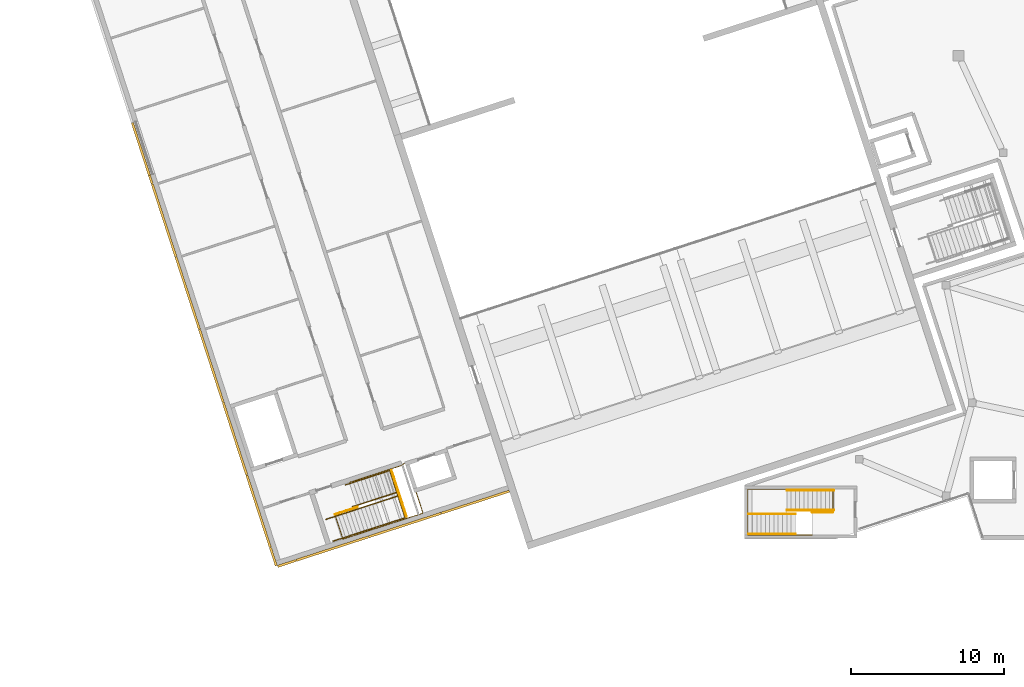
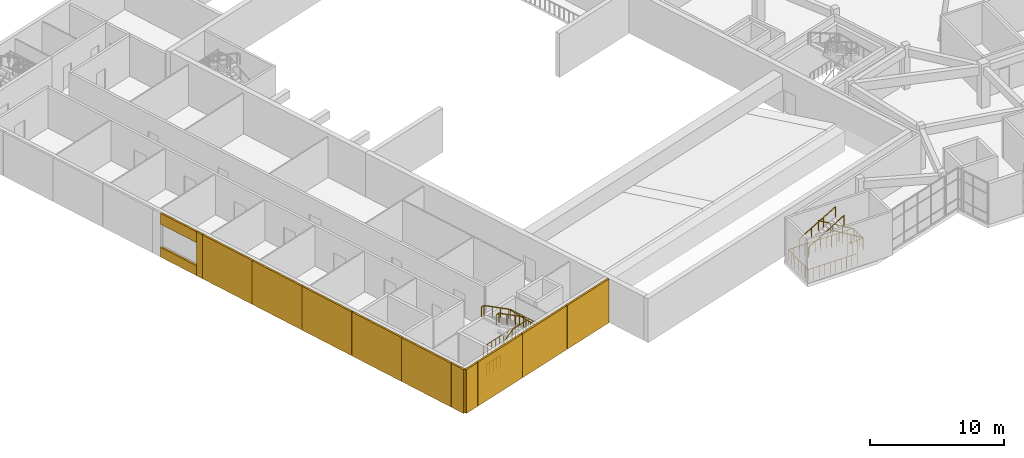
# One storey, part 60 of 66: 13 coverings, 11 railings.
"""IFC4 building model written with IfcOpenShell, lengths in metres."""

import ifcopenshell
import ifcopenshell.guid

model = None  # the IFC model being written
_history = None  # IfcOwnerHistory: only IFC2X3 demands one
_inside = {}  # id of a spatial element -> (the spatial element, [elements in it])
_under = {}  # id of a project, library or spatial element -> (it, [spatial elements below it])
_declared = {}  # id of a project -> (the project, [libraries it declares])
_typed = {}  # id of a type object -> (the type object, [elements of that type])
_made_of = {}  # id of a material, layer set ... -> (it, [elements and type objects made of it])


def new_model(schema):
    """Start an empty IFC model of exactly this schema.

    Asked for "IFC4X3", IfcOpenShell would pick the latest addendum, in which some entities
    have other attributes; the version numbers below select the first issue.
    IFC2X3 requires an IfcOwnerHistory on every rooted entity: one is made here for all.
    """
    global model, _history
    if schema == "IFC4X3":
        model = ifcopenshell.file(schema_version=(4, 3, 0, 0))
    else:
        model = ifcopenshell.file(schema=schema)
    _inside.clear()
    _under.clear()
    _declared.clear()
    _typed.clear()
    _made_of.clear()
    _history = None
    if model.schema == "IFC2X3":
        org = make("IfcOrganization", Name="unknown")
        user = make(
            "IfcPersonAndOrganization",
            ThePerson=make("IfcPerson", FamilyName="unknown"),
            TheOrganization=org,
        )
        app = make(
            "IfcApplication",
            ApplicationDeveloper=org,
            Version="unknown",
            ApplicationFullName="unknown",
            ApplicationIdentifier="unknown",
        )
        _history = make(
            "IfcOwnerHistory",
            OwningUser=user,
            OwningApplication=app,
            ChangeAction="ADDED",
            CreationDate=0,
        )
    return model


def make(cls, **values):
    """One entity of the class cls with the attributes given. An attribute that is None is left unset."""
    return model.create_entity(
        cls, **{name: value for name, value in values.items() if value is not None}
    )


def rooted(cls, **values):
    """An entity with a GlobalId (a new one), such as an element, a storey or a relation."""
    return make(cls, GlobalId=ifcopenshell.guid.new(), OwnerHistory=_history, **values)


def si_unit(unit_type, name, prefix=None):
    """IfcSIUnit, for example si_unit("LENGTHUNIT", "METRE", prefix="MILLI")."""
    return make("IfcSIUnit", UnitType=unit_type, Prefix=prefix, Name=name)


def assignment(units):
    """IfcUnitAssignment: the units of a project."""
    return None if units is None else make("IfcUnitAssignment", Units=units)


def point(xyz):
    """IfcCartesianPoint."""
    return None if xyz is None else make("IfcCartesianPoint", Coordinates=xyz)


def direction(xyz):
    """IfcDirection."""
    return None if xyz is None else make("IfcDirection", DirectionRatios=xyz)


def frame(location, z_axis=None, x_axis=None):
    """IfcAxis2Placement3D, a coordinate frame: its origin and axes. An axis left out is left unset."""
    return make(
        "IfcAxis2Placement3D",
        Location=point(location),
        Axis=direction(z_axis),
        RefDirection=direction(x_axis),
    )


def frame_2d(location, x_axis=None):
    """IfcAxis2Placement2D, a coordinate frame in the plane: its origin and x axis."""
    return make(
        "IfcAxis2Placement2D", Location=point(location), RefDirection=direction(x_axis)
    )


def origin():
    """The frame at (0, 0, 0) with its axes left unset."""
    return frame((0.0, 0.0, 0.0))


def origin_2d():
    """The frame at (0, 0) in the plane with its x axis left unset."""
    return frame_2d((0.0, 0.0))


def place(relative_to, where):
    """IfcLocalPlacement: puts the frame where relative to a parent placement (None: the world)."""
    return make(
        "IfcLocalPlacement", PlacementRelTo=relative_to, RelativePlacement=where
    )


def context(
    kind, dimensions, precision=None, world=None, true_north=None, identifier=None
):
    """IfcGeometricRepresentationContext, for example the 3D "Model" context."""
    return make(
        "IfcGeometricRepresentationContext",
        ContextIdentifier=identifier,
        ContextType=kind,
        CoordinateSpaceDimension=dimensions,
        Precision=precision,
        WorldCoordinateSystem=world,
        TrueNorth=true_north,
    )


def subcontext(parent, identifier, kind, view, scale=None):
    """IfcGeometricRepresentationSubContext, for example "Body" below "Model"."""
    return make(
        "IfcGeometricRepresentationSubContext",
        ContextIdentifier=identifier,
        ContextType=kind,
        ParentContext=parent,
        TargetScale=scale,
        TargetView=view,
    )


def project(units=None, contexts=None):
    """IfcProject with its units and contexts."""
    return rooted(
        "IfcProject",
        Name="project",
        RepresentationContexts=contexts,
        UnitsInContext=assignment(units),
    )


def spatial(cls, under=None, at=None, **own):
    """A site, building, storey or space (cls), placed at a placement, below another one or the project."""
    s = rooted(cls, ObjectPlacement=at, **own)
    if under is not None:
        _under.setdefault(under.id(), (under, []))[1].append(s)
    return s


def polyline(points):
    """IfcPolyline through the points."""
    return make("IfcPolyline", Points=[point(p) for p in points])


def profile(cls, at=None, kind="AREA", **sizes):
    """A parametric profile (cls). Its sizes go by their IFC names, for example OverallWidth=200.0."""
    return make(cls, ProfileType=kind, Position=at, **sizes)


def circle(**sizes):
    """IfcCircleProfileDef."""
    return profile("IfcCircleProfileDef", **sizes)


def outline(outer, holes=None, kind="AREA"):
    """IfcArbitraryClosedProfileDef: a profile drawn as a closed curve; with holes, ...WithVoids."""
    if holes is None:
        return make("IfcArbitraryClosedProfileDef", ProfileType=kind, OuterCurve=outer)
    return make(
        "IfcArbitraryProfileDefWithVoids",
        ProfileType=kind,
        OuterCurve=outer,
        InnerCurves=holes,
    )


def extrude(swept, where, along, depth):
    """IfcExtrudedAreaSolid: the profile swept, set in the frame where, extruded along a direction by depth."""
    return make(
        "IfcExtrudedAreaSolid",
        SweptArea=swept,
        Position=where,
        ExtrudedDirection=direction(along),
        Depth=depth,
    )


def shape(context_of_items, identifier, shape_type, items):
    """IfcShapeRepresentation: the items that make up one representation, for example the "Body"."""
    return make(
        "IfcShapeRepresentation",
        ContextOfItems=context_of_items,
        RepresentationIdentifier=identifier,
        RepresentationType=shape_type,
        Items=items,
    )


def material(Name=None, Category=None):
    """IfcMaterial."""
    return make("IfcMaterial", Name=Name, Category=Category)


def layer(
    of_material, thickness, ventilated=None, Name=None, Category=None, Priority=None
):
    """IfcMaterialLayer: one layer of a wall or slab, of a material (None: an air gap)."""
    return make(
        "IfcMaterialLayer",
        Material=of_material,
        LayerThickness=thickness,
        IsVentilated=ventilated,
        Name=Name,
        Category=Category,
        Priority=Priority,
    )


def layer_set(layers, Name=None):
    """IfcMaterialLayerSet."""
    return make("IfcMaterialLayerSet", MaterialLayers=layers, LayerSetName=Name)


def made_of(thing, what):
    """Note that an element or type object is made of a material, layer set ...; save() writes the relation."""
    if what is not None:
        _made_of.setdefault(what.id(), (what, []))[1].append(thing)
    return thing


def type_object(cls, material=None, **own):
    """A type object (cls), such as IfcWallType, which elements share."""
    return made_of(rooted(cls, **own), material)


def element(
    cls,
    number,
    at=None,
    inside=None,
    cuts=None,
    type_object=None,
    material=None,
    context=None,
    identifier="Body",
    shape_type=None,
    held_by="IfcProductDefinitionShape",
    body=None,
    shapes=None,
    **own,
):
    """One element of the class cls, such as IfcWall. Its Tag is "e" and its number.

    at: its placement. inside: the storey or other place that contains it. cuts: it is an
    opening in that element (IfcRelVoidsElement). A single representation is given by context,
    identifier, shape_type and body (its items); several are given by shapes. held_by: the class
    of the entity that holds the representations. save() writes the other relations.
    """
    e = rooted(cls, Tag="e%d" % number, ObjectPlacement=at, **own)
    if body is not None:
        shapes = [shape(context, identifier, shape_type, body)]
    if shapes is not None:
        e.Representation = make(held_by, Representations=shapes)
    if inside is not None:
        _inside.setdefault(inside.id(), (inside, []))[1].append(e)
    if cuts is not None:
        rooted(
            "IfcRelVoidsElement", RelatingBuildingElement=cuts, RelatedOpeningElement=e
        )
    if type_object is not None:
        _typed.setdefault(type_object.id(), (type_object, []))[1].append(e)
    return made_of(e, material)


def aggregate(whole, parts):
    """IfcRelAggregates: a whole, such as a stair, and the parts it consists of."""
    return rooted("IfcRelAggregates", RelatingObject=whole, RelatedObjects=parts)


def save(model, path):
    """Write the relations noted so far, then the file.

    IfcRelAggregates (storeys below a building ...), IfcRelContainedInSpatialStructure (elements
    in a storey), IfcRelDefinesByType, IfcRelAssociatesMaterial and IfcRelDeclares: one each for
    every whole, place, type object, material and project.
    """
    for whole, parts in _under.values():
        aggregate(whole, parts)
    for where, things in _inside.values():
        rooted(
            "IfcRelContainedInSpatialStructure",
            RelatedElements=things,
            RelatingStructure=where,
        )
    for kind, things in _typed.values():
        rooted("IfcRelDefinesByType", RelatedObjects=things, RelatingType=kind)
    for what, things in _made_of.values():
        rooted("IfcRelAssociatesMaterial", RelatedObjects=things, RelatingMaterial=what)
    for by, libraries in _declared.values():
        rooted("IfcRelDeclares", RelatingContext=by, RelatedDefinitions=libraries)
    model.write(path)


model = new_model("IFC4")

# Units and contexts
model_context = context("Model", 3, precision=1e-05, world=origin(), true_north=direction((0.0, 1.0)))
body_context = subcontext(model_context, "Body", "Model", "MODEL_VIEW")
ifc_project = project(units=[si_unit("LENGTHUNIT", "METRE"), si_unit("AREAUNIT", "SQUARE_METRE"), si_unit("VOLUMEUNIT", "CUBIC_METRE"), si_unit("PLANEANGLEUNIT", "RADIAN"), si_unit("MASSUNIT", "GRAM", prefix="KILO")], contexts=[model_context])

# Site, building, storey
site_placement = place(None, origin())
site = spatial("IfcSite", under=ifc_project, at=site_placement, CompositionType="ELEMENT")
building_placement = place(site_placement, origin())
building = spatial("IfcBuilding", under=site, at=building_placement, Name="Tuart Plaza Theatre", CompositionType="ELEMENT")
storey_placement = place(building_placement, frame((0.0, 0.0, 5.5)))
storey = spatial("IfcBuildingStorey", under=building, at=storey_placement, Name="L01", CompositionType="ELEMENT", Elevation=5.5)

# Coverings
ifc_material_1 = material(Name="Zinc")
ifc_layer = layer(ifc_material_1, 0.14990234375)
ifc_layer_set = layer_set([ifc_layer], Name="COVERING-ZINC-RAINSCREEN150")
covering_type = type_object("IfcCoveringType", Name="COVERING-ZINC-RAINSCREEN150", PredefinedType="CLADDING", material=ifc_layer_set)
covering_1_placement = place(storey_placement, origin())
element("IfcCovering", 1, at=covering_1_placement, inside=storey, type_object=covering_type, Name="CL127", PredefinedType="CLADDING", context=body_context, shape_type="SweptSolid", body=[
    extrude(outline(polyline([(33.45068359375, 40.6708984375), (34.6298828125, 41.05419921875), (34.676513671875, 40.91162109375), (33.4970703125, 40.5283203125), (33.45068359375, 40.6708984375)])), origin(), (0.0, 0.0, 1.0), 4.0),
])
covering_2_placement = place(storey_placement, origin())
element("IfcCovering", 2, at=covering_2_placement, inside=storey, type_object=covering_type, Name="CL128", PredefinedType="CLADDING", context=body_context, shape_type="SweptSolid", body=[
    extrude(outline(polyline([(34.649169921875, 41.060302734375), (39.38525390625, 42.59912109375), (39.431640625, 42.45654296875), (34.6953125, 40.91748046875), (34.649169921875, 41.060302734375)])), origin(), (0.0, 0.0, 1.0), 4.0),
])
covering_3_placement = place(storey_placement, origin())
element("IfcCovering", 3, at=covering_3_placement, inside=storey, type_object=covering_type, Name="CL129", PredefinedType="CLADDING", context=body_context, shape_type="SweptSolid", body=[
    extrude(outline(polyline([(39.404296875, 42.60546875), (44.140625, 44.144287109375), (44.18701171875, 44.001708984375), (39.45068359375, 42.462646484375), (39.404296875, 42.60546875)])), origin(), (0.0, 0.0, 1.0), 4.0),
])
covering_4_placement = place(storey_placement, origin())
element("IfcCovering", 4, at=covering_4_placement, inside=storey, type_object=covering_type, Name="CL130", PredefinedType="CLADDING", context=body_context, shape_type="SweptSolid", body=[
    extrude(outline(polyline([(44.15966796875, 44.150390625), (48.59619140625, 45.592041015625), (48.642578125, 45.449462890625), (44.2060546875, 44.0078125), (44.15966796875, 44.150390625)])), origin(), (0.0, 0.0, 1.0), 4.0),
])
covering_5_placement = place(storey_placement, origin())
element("IfcCovering", 5, at=covering_5_placement, inside=storey, type_object=covering_type, Name="CL131", PredefinedType="CLADDING", context=body_context, shape_type="SweptSolid", body=[
    extrude(outline(polyline([(33.30810546875, 40.62451171875), (32.9248046875, 41.803955078125), (33.0673828125, 41.850341796875), (33.45068359375, 40.6708984375), (33.30810546875, 40.62451171875)])), origin(), (0.0, 0.0, 1.0), 4.0),
])
covering_6_placement = place(storey_placement, origin())
element("IfcCovering", 6, at=covering_6_placement, inside=storey, type_object=covering_type, Name="CL132", PredefinedType="CLADDING", context=body_context, shape_type="SweptSolid", body=[
    extrude(outline(polyline([(32.918701171875, 41.822998046875), (31.3798828125, 46.55908203125), (31.5224609375, 46.60546875), (33.061279296875, 41.869384765625), (32.918701171875, 41.822998046875)])), origin(), (0.0, 0.0, 1.0), 4.0),
])
covering_7_placement = place(storey_placement, origin())
element("IfcCovering", 7, at=covering_7_placement, inside=storey, type_object=covering_type, Name="CL133", PredefinedType="CLADDING", context=body_context, shape_type="SweptSolid", body=[
    extrude(outline(polyline([(31.37353515625, 46.578125), (29.834716796875, 51.314453125), (29.977294921875, 51.36083984375), (31.516357421875, 46.62451171875), (31.37353515625, 46.578125)])), origin(), (0.0, 0.0, 1.0), 4.0),
])
covering_8_placement = place(storey_placement, origin())
element("IfcCovering", 8, at=covering_8_placement, inside=storey, type_object=covering_type, Name="CL134", PredefinedType="CLADDING", context=body_context, shape_type="SweptSolid", body=[
    extrude(outline(polyline([(29.82861328125, 51.33349609375), (28.28955078125, 56.069580078125), (28.432373046875, 56.1162109375), (29.97119140625, 51.3798828125), (29.82861328125, 51.33349609375)])), origin(), (0.0, 0.0, 1.0), 4.0),
])
covering_9_placement = place(storey_placement, origin())
element("IfcCovering", 9, at=covering_9_placement, inside=storey, type_object=covering_type, Name="CL135", PredefinedType="CLADDING", context=body_context, shape_type="SweptSolid", body=[
    extrude(outline(polyline([(28.283447265625, 56.0888671875), (26.744384765625, 60.824951171875), (26.88720703125, 60.871337890625), (28.426025390625, 56.135009765625), (28.283447265625, 56.0888671875)])), origin(), (0.0, 0.0, 1.0), 4.0),
])
covering_10_placement = place(storey_placement, origin())
element("IfcCovering", 10, at=covering_10_placement, inside=storey, type_object=covering_type, Name="CL136", PredefinedType="CLADDING", context=body_context, shape_type="SweptSolid", body=[
    extrude(outline(polyline([(26.73828125, 60.843994140625), (25.199462890625, 65.580322265625), (25.342041015625, 65.626708984375), (26.881103515625, 60.890380859375), (26.73828125, 60.843994140625)])), origin(), (0.0, 0.0, 1.0), 4.0),
])
covering_11_placement = place(storey_placement, origin())
element("IfcCovering", 11, at=covering_11_placement, inside=storey, type_object=covering_type, Name="CL137", PredefinedType="CLADDING", context=body_context, shape_type="SweptSolid", body=[
    extrude(outline(polyline([(25.193359375, 65.599365234375), (25.010986328125, 66.160400390625), (25.153564453125, 66.206787109375), (25.3359375, 65.645751953125), (25.193359375, 65.599365234375)])), origin(), (0.0, 0.0, 1.0), 4.0),
])
covering_12_placement = place(storey_placement, origin())
element("IfcCovering", 12, at=covering_12_placement, inside=storey, type_object=covering_type, Name="CL138", PredefinedType="CLADDING", context=body_context, shape_type="SweptSolid", body=[
    extrude(outline(polyline([(25.010986328125, 66.160400390625), (23.8984375, 69.584228515625), (24.041259765625, 69.630615234375), (25.153564453125, 66.206787109375), (25.010986328125, 66.160400390625)])), origin(), (0.0, 0.0, 1.0), 0.89990234375),
])
covering_13_placement = place(storey_placement, frame((0.0, 0.0, 3.0)))
element("IfcCovering", 13, at=covering_13_placement, inside=storey, type_object=covering_type, Name="CL139", PredefinedType="CLADDING", context=body_context, shape_type="SweptSolid", body=[
    extrude(outline(polyline([(25.010986328125, 66.160400390625), (23.8984375, 69.584228515625), (24.041259765625, 69.630615234375), (25.153564453125, 66.206787109375), (25.010986328125, 66.160400390625)])), origin(), (0.0, 0.0, 1.0), 1.0),
])

# Railings
ifc_material_2 = material(Name="Steel Grade C350L0", Category="steel")
railing_type_1 = type_object("IfcRailingType", Name="RAILING Guard 1100", PredefinedType="GUARDRAIL", material=ifc_material_2)
railing_1_placement = place(storey_placement, frame((37.217041015625, 43.99755859375, 0.0)))
element("IfcRailing", 14, at=railing_1_placement, inside=storey, type_object=railing_type_1, Name="GR7", PredefinedType="GUARDRAIL", context=body_context, shape_type="SweptSolid", body=[
    extrude(circle(Radius=0.02490234375, at=origin_2d()), frame((0.0, 0.0, 1.0751953125), z_axis=(0.951027146511, 0.309107370664, 0.0), x_axis=(-0.309107370664, 0.951027146511, 0.0)), (0.0, 0.0, 1.0), 1.55517578125),
    extrude(circle(Radius=0.02001953125, at=origin_2d()), origin(), (0.0, 0.0, 1.0), 1.050048828125),
    extrude(circle(Radius=0.02001953125, at=origin_2d()), frame((0.36962890625, 0.1201171875, 0.0)), (0.0, 0.0, 1.0), 1.050048828125),
    extrude(circle(Radius=0.02001953125, at=origin_2d()), frame((0.739501953125, 0.240234375, 0.0)), (0.0, 0.0, 1.0), 1.050048828125),
    extrude(circle(Radius=0.02001953125, at=origin_2d()), frame((1.109375, 0.360595703125, 0.0)), (0.0, 0.0, 1.0), 1.050048828125),
    extrude(circle(Radius=0.02001953125, at=origin_2d()), frame((1.47900390625, 0.480712890625, 0.0)), (0.0, 0.0, 1.0), 1.050048828125),
])
railing_2_placement = place(storey_placement, frame((38.181640625, 46.077392578125, 0.0)))
element("IfcRailing", 15, at=railing_2_placement, inside=storey, type_object=railing_type_1, Name="GR8", PredefinedType="GUARDRAIL", context=body_context, shape_type="SweptSolid", body=[
    extrude(circle(Radius=0.02490234375, at=origin_2d()), frame((0.0, 0.0, 1.0751953125), z_axis=(-0.316227766017, 0.948683298051, 0.0), x_axis=(-0.948683298051, -0.316227766017, 0.0)), (0.0, 0.0, 1.0), 0.02001953125),
    extrude(circle(Radius=0.02490234375, at=origin_2d()), frame((-0.00634765625, 0.01904296875, 1.0751953125), z_axis=(0.951050377365, 0.309035887419, 0.0), x_axis=(-0.309035887419, 0.951050377365, 0.0)), (0.0, 0.0, 1.0), 3.630126953125),
    extrude(circle(Radius=0.02490234375, at=origin_2d()), frame((3.446044921875, 1.140869140625, 1.0751953125), z_axis=(-0.310120496179, 0.950697258779, 0.0), x_axis=(-0.950697258779, -0.310120496179, 0.0)), (0.0, 0.0, 1.0), 0.048095703125),
    extrude(circle(Radius=0.02490234375, at=origin_2d()), frame((3.43115234375, 1.1865234375, 1.0751953125), z_axis=(0.951172846201, 0.308658738171, 0.0), x_axis=(-0.308658738171, 0.951172846201, 0.0)), (0.0, 0.0, 1.0), 0.31005859375),
    extrude(circle(Radius=0.02490234375, at=origin_2d()), frame((3.72607421875, 1.2822265625, 1.0751953125), z_axis=(0.308996412998, -0.951063203344, 0.0), x_axis=(0.951063203344, 0.308996412998, 0.0)), (0.0, 0.0, 1.0), 3.447998046875),
    extrude(circle(Radius=0.02490234375, at=origin_2d()), frame((4.79150390625, -1.9970703125, 1.0751953125), z_axis=(-0.951061793147, -0.309000753423, 0.0), x_axis=(0.309000753423, -0.951061793147, 0.0)), (0.0, 0.0, 1.0), 5.499755859375),
    extrude(circle(Radius=0.02490234375, at=origin_2d()), frame((-0.439208984375, -3.696533203125, 1.0751953125), z_axis=(-0.309066587596, 0.951040401051, 0.0), x_axis=(-0.951040401051, -0.309066587596, 0.0)), (0.0, 0.0, 1.0), 1.699951171875),
    extrude(circle(Radius=0.02001953125, at=origin_2d()), origin(), (0.0, 0.0, 1.0), 1.050048828125),
    extrude(circle(Radius=0.02001953125, at=origin_2d()), frame((-0.00634765625, 0.01904296875, 0.0)), (0.0, 0.0, 1.0), 1.050048828125),
    extrude(circle(Radius=0.02001953125, at=origin_2d()), frame((0.42529296875, 0.1591796875, 0.0)), (0.0, 0.0, 1.0), 1.050048828125),
    extrude(circle(Radius=0.02001953125, at=origin_2d()), frame((0.856689453125, 0.299560546875, 0.0)), (0.0, 0.0, 1.0), 1.050048828125),
    extrude(circle(Radius=0.02001953125, at=origin_2d()), frame((1.288330078125, 0.439697265625, 0.0)), (0.0, 0.0, 1.0), 1.050048828125),
    extrude(circle(Radius=0.02001953125, at=origin_2d()), frame((1.7197265625, 0.580078125, 0.0)), (0.0, 0.0, 1.0), 1.050048828125),
    extrude(circle(Radius=0.02001953125, at=origin_2d()), frame((2.1513671875, 0.72021484375, 0.0)), (0.0, 0.0, 1.0), 1.050048828125),
    extrude(circle(Radius=0.02001953125, at=origin_2d()), frame((2.5830078125, 0.8603515625, 0.0)), (0.0, 0.0, 1.0), 1.050048828125),
    extrude(circle(Radius=0.02001953125, at=origin_2d()), frame((3.014404296875, 1.000732421875, 0.0)), (0.0, 0.0, 1.0), 1.050048828125),
    extrude(circle(Radius=0.02001953125, at=origin_2d()), frame((3.446044921875, 1.140869140625, 0.0)), (0.0, 0.0, 1.0), 1.050048828125),
    extrude(circle(Radius=0.02001953125, at=origin_2d()), frame((3.43115234375, 1.1865234375, 0.0)), (0.0, 0.0, 1.0), 1.050048828125),
    extrude(circle(Radius=0.02001953125, at=origin_2d()), frame((3.72607421875, 1.2822265625, 0.0)), (0.0, 0.0, 1.0), 1.050048828125),
    extrude(circle(Radius=0.02001953125, at=origin_2d()), frame((3.878173828125, 0.813720703125, 0.0)), (0.0, 0.0, 1.0), 1.050048828125),
    extrude(circle(Radius=0.02001953125, at=origin_2d()), frame((4.030517578125, 0.34521484375, 0.0)), (0.0, 0.0, 1.0), 1.050048828125),
    extrude(circle(Radius=0.02001953125, at=origin_2d()), frame((4.1826171875, -0.123291015625, 0.0)), (0.0, 0.0, 1.0), 1.050048828125),
    extrude(circle(Radius=0.02001953125, at=origin_2d()), frame((4.3349609375, -0.591552734375, 0.0)), (0.0, 0.0, 1.0), 1.050048828125),
    extrude(circle(Radius=0.02001953125, at=origin_2d()), frame((4.487060546875, -1.06005859375, 0.0)), (0.0, 0.0, 1.0), 1.050048828125),
    extrude(circle(Radius=0.02001953125, at=origin_2d()), frame((4.639404296875, -1.528564453125, 0.0)), (0.0, 0.0, 1.0), 1.050048828125),
    extrude(circle(Radius=0.02001953125, at=origin_2d()), frame((4.79150390625, -1.9970703125, 0.0)), (0.0, 0.0, 1.0), 1.050048828125),
    extrude(circle(Radius=0.02001953125, at=origin_2d()), frame((4.31591796875, -2.151611328125, 0.0)), (0.0, 0.0, 1.0), 1.050048828125),
    extrude(circle(Radius=0.02001953125, at=origin_2d()), frame((3.840576171875, -2.30615234375, 0.0)), (0.0, 0.0, 1.0), 1.050048828125),
    extrude(circle(Radius=0.02001953125, at=origin_2d()), frame((3.364990234375, -2.46044921875, 0.0)), (0.0, 0.0, 1.0), 1.050048828125),
    extrude(circle(Radius=0.02001953125, at=origin_2d()), frame((2.889404296875, -2.614990234375, 0.0)), (0.0, 0.0, 1.0), 1.050048828125),
    extrude(circle(Radius=0.02001953125, at=origin_2d()), frame((2.413818359375, -2.76953125, 0.0)), (0.0, 0.0, 1.0), 1.050048828125),
    extrude(circle(Radius=0.02001953125, at=origin_2d()), frame((1.9384765625, -2.924072265625, 0.0)), (0.0, 0.0, 1.0), 1.050048828125),
    extrude(circle(Radius=0.02001953125, at=origin_2d()), frame((1.462890625, -3.07861328125, 0.0)), (0.0, 0.0, 1.0), 1.050048828125),
    extrude(circle(Radius=0.02001953125, at=origin_2d()), frame((0.9873046875, -3.233154296875, 0.0)), (0.0, 0.0, 1.0), 1.050048828125),
    extrude(circle(Radius=0.02001953125, at=origin_2d()), frame((0.51171875, -3.387451171875, 0.0)), (0.0, 0.0, 1.0), 1.050048828125),
    extrude(circle(Radius=0.02001953125, at=origin_2d()), frame((0.036376953125, -3.5419921875, 0.0)), (0.0, 0.0, 1.0), 1.050048828125),
    extrude(circle(Radius=0.02001953125, at=origin_2d()), frame((-0.439208984375, -3.696533203125, 0.0)), (0.0, 0.0, 1.0), 1.050048828125),
    extrude(circle(Radius=0.02001953125, at=origin_2d()), frame((-0.570556640625, -3.29248046875, 0.0)), (0.0, 0.0, 1.0), 1.050048828125),
    extrude(circle(Radius=0.02001953125, at=origin_2d()), frame((-0.701904296875, -2.88818359375, 0.0)), (0.0, 0.0, 1.0), 1.050048828125),
    extrude(circle(Radius=0.02001953125, at=origin_2d()), frame((-0.833251953125, -2.48388671875, 0.0)), (0.0, 0.0, 1.0), 1.050048828125),
    extrude(circle(Radius=0.02001953125, at=origin_2d()), frame((-0.964599609375, -2.079833984375, 0.0)), (0.0, 0.0, 1.0), 1.050048828125),
])
railing_3_placement = place(storey_placement, frame((41.8994140625, 43.857666015625, 2.0)))
element("IfcRailing", 16, at=railing_3_placement, inside=storey, type_object=railing_type_1, Name="GR12", PredefinedType="GUARDRAIL", context=body_context, shape_type="SweptSolid", body=[
    extrude(circle(Radius=0.02490234375, at=origin_2d()), frame((0.0, 0.0, 1.0751953125), z_axis=(-0.309033663672, 0.951051099951, 0.0), x_axis=(-0.951051099951, -0.309033663672, 0.0)), (0.0, 0.0, 1.0), 3.16015625),
    extrude(circle(Radius=0.02001953125, at=origin_2d()), origin(), (0.0, 0.0, 1.0), 1.050048828125),
    extrude(circle(Radius=0.02001953125, at=origin_2d()), frame((-0.139404296875, 0.429443359375, 0.0)), (0.0, 0.0, 1.0), 1.050048828125),
    extrude(circle(Radius=0.02001953125, at=origin_2d()), frame((-0.279052734375, 0.858642578125, 0.0)), (0.0, 0.0, 1.0), 1.050048828125),
    extrude(circle(Radius=0.02001953125, at=origin_2d()), frame((-0.41845703125, 1.2880859375, 0.0)), (0.0, 0.0, 1.0), 1.050048828125),
    extrude(circle(Radius=0.02001953125, at=origin_2d()), frame((-0.55810546875, 1.71728515625, 0.0)), (0.0, 0.0, 1.0), 1.050048828125),
    extrude(circle(Radius=0.02001953125, at=origin_2d()), frame((-0.697509765625, 2.146728515625, 0.0)), (0.0, 0.0, 1.0), 1.050048828125),
    extrude(circle(Radius=0.02001953125, at=origin_2d()), frame((-0.837158203125, 2.575927734375, 0.0)), (0.0, 0.0, 1.0), 1.050048828125),
    extrude(circle(Radius=0.02001953125, at=origin_2d()), frame((-0.9765625, 3.00537109375, 0.0)), (0.0, 0.0, 1.0), 1.050048828125),
])
railing_4_placement = place(storey_placement, frame((69.7900390625, 44.14990234375, 0.0)))
element("IfcRailing", 17, at=railing_4_placement, inside=storey, type_object=railing_type_1, Name="GR125", PredefinedType="GUARDRAIL", context=body_context, shape_type="SweptSolid", body=[
    extrude(circle(Radius=0.02490234375, at=origin_2d()), frame((0.0, 0.0, 1.0751953125), z_axis=(-1.0, 0.0, 0.0), x_axis=(0.0, -1.0, 0.0)), (0.0, 0.0, 1.0), 1.35498046875),
    extrude(circle(Radius=0.02001953125, at=origin_2d()), origin(), (0.0, 0.0, 1.0), 1.050048828125),
    extrude(circle(Radius=0.02001953125, at=origin_2d()), frame((-0.45166015625, 0.0, 0.0)), (0.0, 0.0, 1.0), 1.050048828125),
    extrude(circle(Radius=0.02001953125, at=origin_2d()), frame((-0.9033203125, 0.0, 0.0)), (0.0, 0.0, 1.0), 1.050048828125),
    extrude(circle(Radius=0.02001953125, at=origin_2d()), frame((-1.35498046875, 0.0, 0.0)), (0.0, 0.0, 1.0), 1.050048828125),
])
railing_5_placement = place(storey_placement, frame((68.429931640625, 42.669921875, 0.0)))
element("IfcRailing", 18, at=railing_5_placement, inside=storey, type_object=railing_type_1, Name="GR126", PredefinedType="GUARDRAIL", context=body_context, shape_type="SweptSolid", body=[
    extrude(circle(Radius=0.02490234375, at=origin_2d()), frame((0.0, 0.0, 1.0751953125), z_axis=(0.0, -1.0, 0.0), x_axis=(1.0, 0.0, 0.0)), (0.0, 0.0, 1.0), 0.02001953125),
    extrude(circle(Radius=0.02490234375, at=origin_2d()), frame((0.0, -0.02001953125, 1.0751953125), z_axis=(-1.0, 0.0, 0.0), x_axis=(0.0, -1.0, 0.0)), (0.0, 0.0, 1.0), 4.22998046875),
    extrude(circle(Radius=0.02490234375, at=origin_2d()), frame((-4.22998046875, -0.02001953125, 1.0751953125), z_axis=(0.0, 1.0, 0.0), x_axis=(-1.0, 0.0, 0.0)), (0.0, 0.0, 1.0), 3.0),
    extrude(circle(Radius=0.02490234375, at=origin_2d()), frame((-4.22998046875, 2.97998046875, 1.0751953125), z_axis=(1.0, 0.0, 0.0), x_axis=(0.0, 1.0, 0.0)), (0.0, 0.0, 1.0), 5.590087890625),
    extrude(circle(Radius=0.02490234375, at=origin_2d()), frame((1.360107421875, 2.97998046875, 1.0751953125), z_axis=(0.0, -1.0, 0.0), x_axis=(1.0, 0.0, 0.0)), (0.0, 0.0, 1.0), 1.5),
    extrude(circle(Radius=0.02001953125, at=origin_2d()), origin(), (0.0, 0.0, 1.0), 1.050048828125),
    extrude(circle(Radius=0.02001953125, at=origin_2d()), frame((0.0, -0.02001953125, 0.0)), (0.0, 0.0, 1.0), 1.050048828125),
    extrude(circle(Radius=0.02001953125, at=origin_2d()), frame((-0.469970703125, -0.02001953125, 0.0)), (0.0, 0.0, 1.0), 1.050048828125),
    extrude(circle(Radius=0.02001953125, at=origin_2d()), frame((-0.93994140625, -0.02001953125, 0.0)), (0.0, 0.0, 1.0), 1.050048828125),
    extrude(circle(Radius=0.02001953125, at=origin_2d()), frame((-1.409912109375, -0.02001953125, 0.0)), (0.0, 0.0, 1.0), 1.050048828125),
    extrude(circle(Radius=0.02001953125, at=origin_2d()), frame((-1.8798828125, -0.02001953125, 0.0)), (0.0, 0.0, 1.0), 1.050048828125),
    extrude(circle(Radius=0.02001953125, at=origin_2d()), frame((-2.35009765625, -0.02001953125, 0.0)), (0.0, 0.0, 1.0), 1.050048828125),
    extrude(circle(Radius=0.02001953125, at=origin_2d()), frame((-2.820068359375, -0.02001953125, 0.0)), (0.0, 0.0, 1.0), 1.050048828125),
    extrude(circle(Radius=0.02001953125, at=origin_2d()), frame((-3.2900390625, -0.02001953125, 0.0)), (0.0, 0.0, 1.0), 1.050048828125),
    extrude(circle(Radius=0.02001953125, at=origin_2d()), frame((-3.760009765625, -0.02001953125, 0.0)), (0.0, 0.0, 1.0), 1.050048828125),
    extrude(circle(Radius=0.02001953125, at=origin_2d()), frame((-4.22998046875, -0.02001953125, 0.0)), (0.0, 0.0, 1.0), 1.050048828125),
    extrude(circle(Radius=0.02001953125, at=origin_2d()), frame((-4.22998046875, 0.47998046875, 0.0)), (0.0, 0.0, 1.0), 1.050048828125),
    extrude(circle(Radius=0.02001953125, at=origin_2d()), frame((-4.22998046875, 0.97998046875, 0.0)), (0.0, 0.0, 1.0), 1.050048828125),
    extrude(circle(Radius=0.02001953125, at=origin_2d()), frame((-4.22998046875, 1.47998046875, 0.0)), (0.0, 0.0, 1.0), 1.050048828125),
    extrude(circle(Radius=0.02001953125, at=origin_2d()), frame((-4.22998046875, 1.97998046875, 0.0)), (0.0, 0.0, 1.0), 1.050048828125),
    extrude(circle(Radius=0.02001953125, at=origin_2d()), frame((-4.22998046875, 2.47998046875, 0.0)), (0.0, 0.0, 1.0), 1.050048828125),
    extrude(circle(Radius=0.02001953125, at=origin_2d()), frame((-4.22998046875, 2.97998046875, 0.0)), (0.0, 0.0, 1.0), 1.050048828125),
    extrude(circle(Radius=0.02001953125, at=origin_2d()), frame((-3.76416015625, 2.97998046875, 0.0)), (0.0, 0.0, 1.0), 1.050048828125),
    extrude(circle(Radius=0.02001953125, at=origin_2d()), frame((-3.29833984375, 2.97998046875, 0.0)), (0.0, 0.0, 1.0), 1.050048828125),
    extrude(circle(Radius=0.02001953125, at=origin_2d()), frame((-2.83251953125, 2.97998046875, 0.0)), (0.0, 0.0, 1.0), 1.050048828125),
    extrude(circle(Radius=0.02001953125, at=origin_2d()), frame((-2.36669921875, 2.97998046875, 0.0)), (0.0, 0.0, 1.0), 1.050048828125),
    extrude(circle(Radius=0.02001953125, at=origin_2d()), frame((-1.90087890625, 2.97998046875, 0.0)), (0.0, 0.0, 1.0), 1.050048828125),
    extrude(circle(Radius=0.02001953125, at=origin_2d()), frame((-1.43505859375, 2.97998046875, 0.0)), (0.0, 0.0, 1.0), 1.050048828125),
    extrude(circle(Radius=0.02001953125, at=origin_2d()), frame((-0.968994140625, 2.97998046875, 0.0)), (0.0, 0.0, 1.0), 1.050048828125),
    extrude(circle(Radius=0.02001953125, at=origin_2d()), frame((-0.503173828125, 2.97998046875, 0.0)), (0.0, 0.0, 1.0), 1.050048828125),
    extrude(circle(Radius=0.02001953125, at=origin_2d()), frame((-0.037353515625, 2.97998046875, 0.0)), (0.0, 0.0, 1.0), 1.050048828125),
    extrude(circle(Radius=0.02001953125, at=origin_2d()), frame((0.428466796875, 2.97998046875, 0.0)), (0.0, 0.0, 1.0), 1.050048828125),
    extrude(circle(Radius=0.02001953125, at=origin_2d()), frame((0.894287109375, 2.97998046875, 0.0)), (0.0, 0.0, 1.0), 1.050048828125),
    extrude(circle(Radius=0.02001953125, at=origin_2d()), frame((1.360107421875, 2.97998046875, 0.0)), (0.0, 0.0, 1.0), 1.050048828125),
    extrude(circle(Radius=0.02001953125, at=origin_2d()), frame((1.360107421875, 2.47998046875, 0.0)), (0.0, 0.0, 1.0), 1.050048828125),
    extrude(circle(Radius=0.02001953125, at=origin_2d()), frame((1.360107421875, 1.97998046875, 0.0)), (0.0, 0.0, 1.0), 1.050048828125),
    extrude(circle(Radius=0.02001953125, at=origin_2d()), frame((1.360107421875, 1.47998046875, 0.0)), (0.0, 0.0, 1.0), 1.050048828125),
])
ifc_material_3 = material(Name="Steel Grade C350L0", Category="steel")
railing_type_2 = type_object("IfcRailingType", Name="RAILING Handrail 900", PredefinedType="HANDRAIL", material=ifc_material_3)
railing_6_placement = place(storey_placement, frame((36.6279296875, 43.6748046875, 0.0)))
element("IfcRailing", 19, at=railing_6_placement, inside=storey, type_object=railing_type_2, Name="HR7", PredefinedType="HANDRAIL", context=body_context, shape_type="SweptSolid", body=[
    extrude(circle(Radius=0.0224609375, at=origin_2d()), frame((0.0, 0.0, 0.87744140625), z_axis=(0.91641792704, 0.297502654672, 0.267713192544), x_axis=(-0.308773297186, 0.951135663796, 0.0)), (0.0, 0.0, 1.0), 0.622802734375),
    extrude(circle(Radius=0.0224609375, at=origin_2d()), frame((0.57080078125, 0.185302734375, 1.044189453125), z_axis=(0.80067958274, 0.260161573424, 0.539655595261), x_axis=(-0.309022373402, 0.951054768527, 0.0)), (0.0, 0.0, 1.0), 3.39697265625),
    extrude(circle(Radius=0.0224609375, at=origin_2d()), frame((3.290771484375, 1.069091796875, 2.87744140625), z_axis=(0.951032872603, 0.309089752708, 0.0), x_axis=(-0.309089752708, 0.951032872603, 0.0)), (0.0, 0.0, 1.0), 1.5),
    extrude(circle(Radius=0.0224609375, at=origin_2d()), frame((4.71728515625, 1.53271484375, 2.87744140625), z_axis=(-0.226783790612, 0.699010797647, 0.678198361166), x_axis=(-0.951191832008, -0.308600224758, 0.0)), (0.0, 0.0, 1.0), 0.340087890625),
    extrude(circle(Radius=0.0224609375, at=origin_2d()), frame((4.64013671875, 1.7705078125, 3.108154296875), z_axis=(-0.800667490059, -0.260187147532, 0.53966120726), x_axis=(0.309054071151, -0.951044468521, 0.0)), (0.0, 0.0, 1.0), 3.278564453125),
    extrude(circle(Radius=0.0224609375, at=origin_2d()), frame((2.01513671875, 0.91748046875, 4.87744140625), z_axis=(-0.951255083436, -0.308405198137, 0.0), x_axis=(0.308405198137, -0.951255083436, 0.0)), (0.0, 0.0, 1.0), 0.300048828125),
    extrude(circle(Radius=0.01513671875, at=origin_2d()), origin(), (0.0, 0.0, 1.0), 0.85498046875),
    extrude(circle(Radius=0.01513671875, at=origin_2d()), frame((0.57080078125, 0.185302734375, 0.166748046875)), (0.0, 0.0, 1.0), 0.85498046875),
    extrude(circle(Radius=0.01513671875, at=origin_2d()), frame((1.4775390625, 0.47998046875, 0.77783203125)), (0.0, 0.0, 1.0), 0.85498046875),
    extrude(circle(Radius=0.01513671875, at=origin_2d()), frame((2.384033203125, 0.7744140625, 1.388916015625)), (0.0, 0.0, 1.0), 0.85498046875),
    extrude(circle(Radius=0.01513671875, at=origin_2d()), frame((3.290771484375, 1.069091796875, 2.0)), (0.0, 0.0, 1.0), 0.85498046875),
    extrude(circle(Radius=0.01513671875, at=origin_2d()), frame((4.71728515625, 1.53271484375, 2.0)), (0.0, 0.0, 1.0), 0.85498046875),
    extrude(circle(Radius=0.01513671875, at=origin_2d()), frame((4.64013671875, 1.7705078125, 2.230712890625)), (0.0, 0.0, 1.0), 0.85498046875),
    extrude(circle(Radius=0.01513671875, at=origin_2d()), frame((3.76513671875, 1.486083984375, 2.820556640625)), (0.0, 0.0, 1.0), 0.85498046875),
    extrude(circle(Radius=0.01513671875, at=origin_2d()), frame((2.89013671875, 1.201904296875, 3.41015625)), (0.0, 0.0, 1.0), 0.85498046875),
    extrude(circle(Radius=0.01513671875, at=origin_2d()), frame((2.01513671875, 0.91748046875, 4.0)), (0.0, 0.0, 1.0), 0.85498046875),
    extrude(circle(Radius=0.01513671875, at=origin_2d()), frame((1.729736328125, 0.824951171875, 4.0)), (0.0, 0.0, 1.0), 0.85498046875),
])
railing_7_placement = place(storey_placement, frame((37.091552734375, 42.248291015625, 0.0)))
element("IfcRailing", 20, at=railing_7_placement, inside=storey, type_object=railing_type_2, Name="HR8", PredefinedType="HANDRAIL", context=body_context, shape_type="SweptSolid", body=[
    extrude(circle(Radius=0.0224609375, at=origin_2d()), frame((0.0, 0.0, 0.87744140625), z_axis=(0.916355108697, 0.297609553916, 0.267809387779), x_axis=(-0.308892816854, 0.951096855055, 0.0)), (0.0, 0.0, 1.0), 0.62255859375),
    extrude(circle(Radius=0.0224609375, at=origin_2d()), frame((0.570556640625, 0.185302734375, 1.044189453125), z_axis=(0.80067958274, 0.260161573424, 0.539655595261), x_axis=(-0.309022373402, 0.951054768527, 0.0)), (0.0, 0.0, 1.0), 3.39697265625),
    extrude(circle(Radius=0.0224609375, at=origin_2d()), frame((3.29052734375, 1.069091796875, 2.87744140625), z_axis=(0.951048418938, 0.309041914367, 0.0), x_axis=(-0.309041914367, 0.951048418938, 0.0)), (0.0, 0.0, 1.0), 1.500244140625),
    extrude(circle(Radius=0.0224609375, at=origin_2d()), frame((4.71728515625, 1.53271484375, 2.87744140625), z_axis=(-0.308276276911, 0.94865767275, 0.070812124862), x_axis=(-0.951045109239, -0.309052099479, 0.0)), (0.0, 0.0, 1.0), 3.258056640625),
    extrude(circle(Radius=0.0224609375, at=origin_2d()), frame((3.712890625, 4.62353515625, 3.108154296875), z_axis=(-0.800683001475, -0.26011771988, 0.539671662174), x_axis=(0.308974063591, -0.951070464281, 0.0)), (0.0, 0.0, 1.0), 3.278564453125),
    extrude(circle(Radius=0.0224609375, at=origin_2d()), frame((1.087890625, 3.770751953125, 4.87744140625), z_axis=(-0.950938293792, -0.309380609282, 0.0), x_axis=(0.309380609282, -0.950938293792, 0.0)), (0.0, 0.0, 1.0), 0.2998046875),
    extrude(circle(Radius=0.01513671875, at=origin_2d()), origin(), (0.0, 0.0, 1.0), 0.85498046875),
    extrude(circle(Radius=0.01513671875, at=origin_2d()), frame((0.570556640625, 0.185302734375, 0.166748046875)), (0.0, 0.0, 1.0), 0.85498046875),
    extrude(circle(Radius=0.01513671875, at=origin_2d()), frame((1.477294921875, 0.47998046875, 0.77783203125)), (0.0, 0.0, 1.0), 0.85498046875),
    extrude(circle(Radius=0.01513671875, at=origin_2d()), frame((2.3837890625, 0.7744140625, 1.388916015625)), (0.0, 0.0, 1.0), 0.85498046875),
    extrude(circle(Radius=0.01513671875, at=origin_2d()), frame((3.29052734375, 1.069091796875, 2.0)), (0.0, 0.0, 1.0), 0.85498046875),
    extrude(circle(Radius=0.01513671875, at=origin_2d()), frame((4.00390625, 1.30078125, 2.0)), (0.0, 0.0, 1.0), 0.85498046875),
    extrude(circle(Radius=0.01513671875, at=origin_2d()), frame((4.71728515625, 1.53271484375, 2.0)), (0.0, 0.0, 1.0), 0.85498046875),
    extrude(circle(Radius=0.01513671875, at=origin_2d()), frame((4.382568359375, 2.56298828125, 2.076904296875)), (0.0, 0.0, 1.0), 0.85498046875),
    extrude(circle(Radius=0.01513671875, at=origin_2d()), frame((4.047607421875, 3.59326171875, 2.15380859375)), (0.0, 0.0, 1.0), 0.85498046875),
    extrude(circle(Radius=0.01513671875, at=origin_2d()), frame((3.712890625, 4.62353515625, 2.230712890625)), (0.0, 0.0, 1.0), 0.85498046875),
    extrude(circle(Radius=0.01513671875, at=origin_2d()), frame((2.837890625, 4.33935546875, 2.820556640625)), (0.0, 0.0, 1.0), 0.85498046875),
    extrude(circle(Radius=0.01513671875, at=origin_2d()), frame((1.962890625, 4.054931640625, 3.41015625)), (0.0, 0.0, 1.0), 0.85498046875),
    extrude(circle(Radius=0.01513671875, at=origin_2d()), frame((1.087890625, 3.770751953125, 4.0)), (0.0, 0.0, 1.0), 0.85498046875),
    extrude(circle(Radius=0.01513671875, at=origin_2d()), frame((0.802734375, 3.677978515625, 4.0)), (0.0, 0.0, 1.0), 0.85498046875),
])
for number, where, name in (
    (21, (69.85009765625, 44.27490234375, 0.166748046875), "HR59"),
    (22, (69.85009765625, 45.574951171875, 0.166748046875), "HR60"),
):
    element("IfcRailing", number, at=place(storey_placement, frame(where)), inside=storey, type_object=railing_type_2, Name=name, PredefinedType="HANDRAIL", context=body_context, shape_type="SweptSolid", body=[
        extrude(circle(Radius=0.0224609375, at=origin_2d()), frame((0.0, 0.0, 0.87744140625), z_axis=(-0.859308565015, 0.0, 0.511457515432), x_axis=(0.0, -1.0, 0.0)), (0.0, 0.0, 1.0), 3.58447265625),
        extrude(circle(Radius=0.01513671875, at=origin_2d()), origin(), (0.0, 0.0, 1.0), 0.85498046875),
        extrude(circle(Radius=0.01513671875, at=origin_2d()), frame((-1.026611328125, 0.0, 0.611083984375)), (0.0, 0.0, 1.0), 0.85498046875),
        extrude(circle(Radius=0.01513671875, at=origin_2d()), frame((-2.053466796875, 0.0, 1.22216796875)), (0.0, 0.0, 1.0), 0.85498046875),
        extrude(circle(Radius=0.01513671875, at=origin_2d()), frame((-3.080078125, 0.0, 1.833251953125)), (0.0, 0.0, 1.0), 0.85498046875),
    ])
for number, where, name in (
    (23, (64.25, 44.02490234375, 2.166748046875), "HR61"),
    (24, (64.25, 42.72509765625, 2.166748046875), "HR62"),
):
    element("IfcRailing", number, at=place(storey_placement, frame(where)), inside=storey, type_object=railing_type_2, Name=name, PredefinedType="HANDRAIL", context=body_context, shape_type="SweptSolid", body=[
        extrude(circle(Radius=0.0224609375, at=origin_2d()), frame((0.0, 0.0, 0.87744140625), z_axis=(0.859308565015, 0.0, 0.511457515432), x_axis=(0.0, 1.0, 0.0)), (0.0, 0.0, 1.0), 3.58447265625),
        extrude(circle(Radius=0.01513671875, at=origin_2d()), origin(), (0.0, 0.0, 1.0), 0.85498046875),
        extrude(circle(Radius=0.01513671875, at=origin_2d()), frame((1.026611328125, 0.0, 0.611083984375)), (0.0, 0.0, 1.0), 0.85498046875),
        extrude(circle(Radius=0.01513671875, at=origin_2d()), frame((2.053466796875, 0.0, 1.22216796875)), (0.0, 0.0, 1.0), 0.85498046875),
        extrude(circle(Radius=0.01513671875, at=origin_2d()), frame((3.080078125, 0.0, 1.833251953125)), (0.0, 0.0, 1.0), 0.85498046875),
    ])

save(model, "model.ifc")
